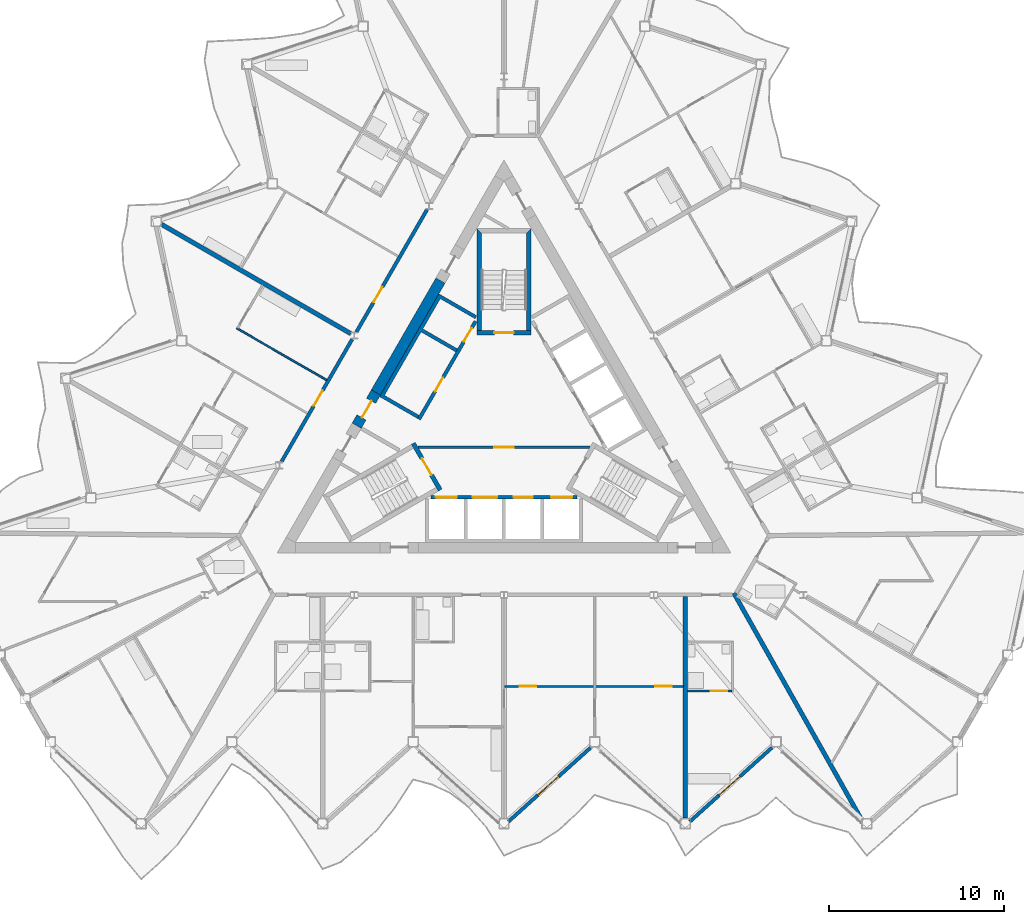
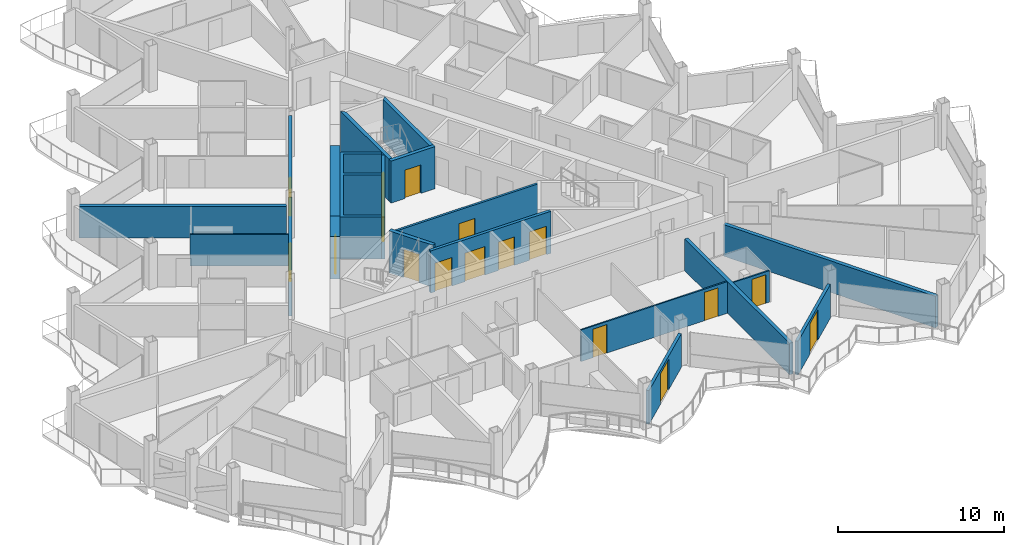
# One storey, part 15 of 27: 20 walls, 17 doors, 17 openings.
"""IFC4 building model written with IfcOpenShell, lengths in metres."""

from ifc_helpers import new_model, si_unit, direction, frame, frame_2d, origin, place, context, subcontext, project, spatial, polyline, rectangle, outline, extrude, material, layer, layer_set, type_object, element, fill, save


model = new_model("IFC4")

# Units and contexts
model_context = context("Model", 3, precision=1e-05, world=origin(), true_north=direction((0.0, 1.0)))
body_context = subcontext(model_context, "Body", "Model", "MODEL_VIEW")
ifc_project = project(units=[si_unit("LENGTHUNIT", "METRE"), si_unit("AREAUNIT", "SQUARE_METRE"), si_unit("VOLUMEUNIT", "CUBIC_METRE"), si_unit("PLANEANGLEUNIT", "RADIAN"), si_unit("MASSUNIT", "GRAM", prefix="KILO")], contexts=[model_context])

# Site, building, storey
site_placement = place(None, origin())
site = spatial("IfcSite", under=ifc_project, at=site_placement, CompositionType="ELEMENT")
building_placement = place(site_placement, origin())
building = spatial("IfcBuilding", under=site, at=building_placement, Name="Cormorant Prow Tower", CompositionType="ELEMENT")
storey_placement = place(building_placement, frame((0.0, 0.0, 332.39990234375)))
storey = spatial("IfcBuildingStorey", under=building, at=storey_placement, Name="L74", CompositionType="ELEMENT", Elevation=332.39990234375)

# Wall, opening, door
ifc_material_1 = material(Name="Gypsum board partition")
ifc_layer_1 = layer(ifc_material_1, 0.14990234375)
ifc_layer_set_1 = layer_set([ifc_layer_1], Name="Gypsum board partition")
wall_type_1 = type_object("IfcWallType", Name="Core partition 150", PredefinedType="PARTITIONING", material=ifc_layer_set_1)
wall_1_placement = place(storey_placement, frame((-4.941162109375, -1.449951171875, 0.0), z_axis=(0.0, 0.0, 1.0), x_axis=(1.0, 0.0, 0.0)))
wall_1 = element("IfcWall", 1, at=wall_1_placement, inside=storey, type_object=wall_type_1, Name="Firefighting lobby partition", PredefinedType="PARTITIONING", context=body_context, shape_type="SweptSolid", body=[
    extrude(rectangle(XDim=9.88232421875, YDim=0.14990234375, at=frame_2d((4.941162109375, 0.0))), origin(), (0.0, 0.0, 1.0), 3.10009765625),
])
opening_1_placement = place(wall_1_placement, frame((4.39111328125, 0.0, 0.0)))
opening_1 = element("IfcOpeningElement", 2, at=opening_1_placement, cuts=wall_1, Name="Opening L74-C11", PredefinedType="OPENING", context=body_context, shape_type="SweptSolid", body=[
    extrude(rectangle(XDim=1.10009765625, YDim=2.10009765625, at=frame_2d((0.550048828125, 1.050048828125))), frame((0.0, 0.0849609375, 0.0), z_axis=(0.0, -1.0, 0.0), x_axis=(1.0, 0.0, 0.0)), (0.0, 0.0, 1.0), 0.169921875),
])
ifc_material_2 = material(Name="Painted steel", Category="steel")
door_type_1 = type_object("IfcDoorType", Name="Firefighting lobby door 1100x2100", OperationType="NOTDEFINED", PredefinedType="DOOR", material=ifc_material_2)
door_1_placement = place(opening_1_placement, origin())
door_1 = element("IfcDoor", 3, at=door_1_placement, inside=storey, type_object=door_type_1, Name="Firefighting lobby door", OperationType="SINGLE_SWING_RIGHT", OverallHeight=2.10009765625, OverallWidth=1.10009765625, PredefinedType="DOOR", context=body_context, shape_type="SweptSolid", body=[
    extrude(rectangle(XDim=1.10009765625, YDim=2.10009765625, at=frame_2d((0.550048828125, 1.050048828125))), frame((0.0, 0.02490234375, 0.0), z_axis=(0.0, -1.0, 0.0), x_axis=(1.0, 0.0, 0.0)), (0.0, 0.0, 1.0), 0.050048828125),
])
fill(opening_1, door_1)

# Wall
ifc_material_3 = material(Name="Concrete 8000 psi", Category="concrete")
ifc_layer_2 = layer(ifc_material_3, 0.60009765625)
ifc_layer_set_2 = layer_set([ifc_layer_2], Name="Concrete 8000 psi")
wall_type_2 = type_object("IfcWallType", Name="Core shear wall 600", PredefinedType="SHEAR", material=ifc_layer_set_2)
wall_2_placement = place(storey_placement, frame((-3.639404296875, 8.107421875, 0.0), z_axis=(0.0, 0.0, 1.0), x_axis=(-0.49999180351, -0.866030135978, 0.0)))
element("IfcWall", 4, at=wall_2_placement, inside=storey, type_object=wall_type_2, Name="Core wall", PredefinedType="SHEAR", context=body_context, shape_type="SweptSolid", body=[
    extrude(rectangle(XDim=7.4013671875, YDim=0.60009765625, at=frame_2d((3.70068359375, 0.0))), origin(), (0.0, 0.0, 1.0), 3.10009765625),
])

# Wall, opening, door
wall_3_placement = place(storey_placement, frame((-7.340087890625, 1.697509765625, 0.0), z_axis=(0.0, 0.0, 1.0), x_axis=(-0.50002983664, -0.866008176907, 0.0)))
wall_3 = element("IfcWall", 5, at=wall_3_placement, inside=storey, type_object=wall_type_2, Name="Core wall door panel", PredefinedType="SHEAR", context=body_context, shape_type="SweptSolid", body=[
    extrude(rectangle(XDim=2.199951171875, YDim=0.60009765625, at=frame_2d((1.10009765625, 0.0))), origin(), (0.0, 0.0, 1.0), 3.10009765625),
])
opening_2_placement = place(wall_3_placement, frame((0.550048828125, 0.0, 0.0)))
opening_2 = element("IfcOpeningElement", 6, at=opening_2_placement, cuts=wall_3, Name="Opening L74-C21", PredefinedType="OPENING", context=body_context, shape_type="SweptSolid", body=[
    extrude(rectangle(XDim=1.10009765625, YDim=2.10009765625, at=frame_2d((0.550048828125, 1.050048828125))), frame((0.0, 0.31005859375, 0.0), z_axis=(0.0, -1.0, 0.0), x_axis=(1.0, 0.0, 0.0)), (0.0, 0.0, 1.0), 0.6201171875),
])
ifc_material_4 = material(Name="Painted steel", Category="steel")
door_type_2 = type_object("IfcDoorType", Name="Core door 1100x2100", OperationType="NOTDEFINED", PredefinedType="DOOR", material=ifc_material_4)
door_2_placement = place(opening_2_placement, origin())
door_2 = element("IfcDoor", 7, at=door_2_placement, inside=storey, type_object=door_type_2, Name="Core door, lift lobby", OperationType="SINGLE_SWING_RIGHT", OverallHeight=2.10009765625, OverallWidth=1.10009765625, PredefinedType="DOOR", context=body_context, shape_type="SweptSolid", body=[
    extrude(rectangle(XDim=1.10009765625, YDim=2.10009765625, at=frame_2d((0.550048828125, 1.050048828125))), frame((0.0, 0.05517578125, 0.0), z_axis=(0.0, -1.0, 0.0), x_axis=(1.0, 0.0, 0.0)), (0.0, 0.0, 1.0), 0.050048828125),
])
fill(opening_2, door_2)

ifc_material_5 = material(Name="Gypsum board corridor wall")
ifc_layer_3 = layer(ifc_material_5, 0.199951171875)
ifc_layer_set_3 = layer_set([ifc_layer_3], Name="Gypsum board corridor wall")
wall_type_3 = type_object("IfcWallType", Name="Corridor wall 200", PredefinedType="PARTITIONING", material=ifc_layer_set_3)
wall_4_placement = place(storey_placement, frame((-8.45849609375, 5.160400390625, 0.0), z_axis=(0.0, 0.0, 1.0), x_axis=(0.499984266882, 0.866034487114, 0.0)))
wall_4 = element("IfcWall", 8, at=wall_4_placement, inside=storey, type_object=wall_type_3, Name="Corridor wall", PredefinedType="PARTITIONING", context=body_context, shape_type="SweptSolid", body=[
    extrude(rectangle(XDim=8.098876953125, YDim=0.199951171875, at=frame_2d((4.04931640625, 0.0))), origin(), (0.0, 0.0, 1.0), 3.10009765625),
])
opening_3_placement = place(wall_4_placement, frame((1.975830078125, 0.0, 0.0)))
opening_3 = element("IfcOpeningElement", 9, at=opening_3_placement, cuts=wall_4, Name="Opening L74-F46", PredefinedType="OPENING", context=body_context, shape_type="SweptSolid", body=[
    extrude(rectangle(XDim=1.0, YDim=2.10009765625, at=frame_2d((0.5, 1.050048828125))), frame((0.0, 0.10986328125, 0.0), z_axis=(0.0, -1.0, 0.0), x_axis=(1.0, 0.0, 0.0)), (0.0, 0.0, 1.0), 0.219970703125),
])
ifc_material_6 = material(Name="Timber door leaf", Category="wood")
door_type_3 = type_object("IfcDoorType", Name="Flat or room entrance door 1000x2100", OperationType="NOTDEFINED", PredefinedType="DOOR", material=ifc_material_6)
door_3_placement = place(opening_3_placement, origin())
door_3 = element("IfcDoor", 10, at=door_3_placement, inside=storey, type_object=door_type_3, Name="Living room door", OperationType="SINGLE_SWING_LEFT", OverallHeight=2.10009765625, OverallWidth=1.0, PredefinedType="DOOR", context=body_context, shape_type="SweptSolid", body=[
    extrude(rectangle(XDim=1.0, YDim=2.10009765625, at=frame_2d((0.5, 1.050048828125))), frame((0.0, 0.02490234375, 0.0), z_axis=(0.0, -1.0, 0.0), x_axis=(1.0, 0.0, 0.0)), (0.0, 0.0, 1.0), 0.050048828125),
])
fill(opening_3, door_3)

wall_5_placement = place(storey_placement, frame((-12.747802734375, -2.268798828125, 0.0), z_axis=(0.0, 0.0, 1.0), x_axis=(0.499984266882, 0.866034487114, 0.0)))
wall_5 = element("IfcWall", 11, at=wall_5_placement, inside=storey, type_object=wall_type_3, Name="Corridor wall", PredefinedType="PARTITIONING", context=body_context, shape_type="SweptSolid", body=[
    extrude(rectangle(XDim=8.098876953125, YDim=0.199951171875, at=frame_2d((4.04931640625, 0.0))), origin(), (0.0, 0.0, 1.0), 3.10009765625),
])
opening_4_placement = place(wall_5_placement, frame((3.70166015625, 0.0, 0.0)))
opening_4 = element("IfcOpeningElement", 12, at=opening_4_placement, cuts=wall_5, Name="Opening L74-F51", PredefinedType="OPENING", context=body_context, shape_type="SweptSolid", body=[
    extrude(rectangle(XDim=1.0, YDim=2.10009765625, at=frame_2d((0.5, 1.050048828125))), frame((0.0, 0.10986328125, 0.0), z_axis=(0.0, -1.0, 0.0), x_axis=(1.0, 0.0, 0.0)), (0.0, 0.0, 1.0), 0.219970703125),
])
door_4_placement = place(opening_4_placement, origin())
door_4 = element("IfcDoor", 13, at=door_4_placement, inside=storey, type_object=door_type_3, Name="Living room door", OperationType="SINGLE_SWING_LEFT", OverallHeight=2.10009765625, OverallWidth=1.0, PredefinedType="DOOR", context=body_context, shape_type="SweptSolid", body=[
    extrude(rectangle(XDim=1.0, YDim=2.10009765625, at=frame_2d((0.5, 1.050048828125))), frame((0.0, 0.02490234375, 0.0), z_axis=(0.0, -1.0, 0.0), x_axis=(1.0, 0.0, 0.0)), (0.0, 0.0, 1.0), 0.050048828125),
])
fill(opening_4, door_4)

# Wall, openings, doors
ifc_material_7 = material(Name="Gypsum board partition")
ifc_layer_4 = layer(ifc_material_7, 0.10009765625)
ifc_layer_set_4 = layer_set([ifc_layer_4], Name="Gypsum board partition")
wall_type_4 = type_object("IfcWallType", Name="Internal partition 100", PredefinedType="PARTITIONING", material=ifc_layer_set_4)
wall_6_placement = place(storey_placement, frame((0.050048828125, -15.143798828125, 0.0), z_axis=(0.0, 0.0, 1.0), x_axis=(1.0, 0.0, 0.0)))
wall_6 = element("IfcWall", 14, at=wall_6_placement, inside=storey, type_object=wall_type_4, Name="Internal partition", PredefinedType="PARTITIONING", context=body_context, shape_type="SweptSolid", body=[
    extrude(rectangle(XDim=10.217529296875, YDim=0.10009765625, at=frame_2d((5.10888671875, 0.0))), origin(), (0.0, 0.0, 1.0), 2.330078125),
])
opening_5_placement = place(wall_6_placement, frame((0.854736328125, 0.0, 0.0)))
opening_5 = element("IfcOpeningElement", 15, at=opening_5_placement, cuts=wall_6, Name="Opening L74-F09", PredefinedType="OPENING", context=body_context, shape_type="SweptSolid", body=[
    extrude(rectangle(XDim=0.949951171875, YDim=2.10009765625, at=frame_2d((0.47509765625, 1.050048828125))), frame((0.0, 0.06005859375, 0.0), z_axis=(0.0, -1.0, 0.0), x_axis=(1.0, 0.0, 0.0)), (0.0, 0.0, 1.0), 0.1201171875),
])
opening_6_placement = place(wall_6_placement, frame((8.614501953125, 0.0, 0.0)))
opening_6 = element("IfcOpeningElement", 16, at=opening_6_placement, cuts=wall_6, Name="Opening L74-F11", PredefinedType="OPENING", context=body_context, shape_type="SweptSolid", body=[
    extrude(rectangle(XDim=0.949951171875, YDim=2.10009765625, at=frame_2d((0.47509765625, 1.050048828125))), frame((0.0, 0.06005859375, 0.0), z_axis=(0.0, -1.0, 0.0), x_axis=(1.0, 0.0, 0.0)), (0.0, 0.0, 1.0), 0.1201171875),
])
ifc_material_8 = material(Name="Timber door leaf", Category="wood")
door_type_4 = type_object("IfcDoorType", Name="Bathroom door 950x2100", OperationType="NOTDEFINED", PredefinedType="DOOR", material=ifc_material_8)
door_5_placement = place(opening_5_placement, origin())
door_5 = element("IfcDoor", 17, at=door_5_placement, inside=storey, type_object=door_type_4, Name="Bedroom door", OperationType="SINGLE_SWING_LEFT", OverallHeight=2.10009765625, OverallWidth=0.949951171875, PredefinedType="DOOR", context=body_context, shape_type="SweptSolid", body=[
    extrude(rectangle(XDim=0.949951171875, YDim=2.10009765625, at=frame_2d((0.47509765625, 1.050048828125))), frame((0.0, 0.02490234375, 0.0), z_axis=(0.0, -1.0, 0.0), x_axis=(1.0, 0.0, 0.0)), (0.0, 0.0, 1.0), 0.050048828125),
])
fill(opening_5, door_5)
door_6_placement = place(opening_6_placement, origin())
door_6 = element("IfcDoor", 18, at=door_6_placement, inside=storey, type_object=door_type_4, Name="Bedroom door", OperationType="SINGLE_SWING_RIGHT", OverallHeight=2.10009765625, OverallWidth=0.949951171875, PredefinedType="DOOR", context=body_context, shape_type="SweptSolid", body=[
    extrude(rectangle(XDim=0.949951171875, YDim=2.10009765625, at=frame_2d((0.47509765625, 1.050048828125))), frame((0.0, 0.02490234375, 0.0), z_axis=(0.0, -1.0, 0.0), x_axis=(1.0, 0.0, 0.0)), (0.0, 0.0, 1.0), 0.050048828125),
])
fill(opening_6, door_6)

# Wall
wall_7_placement = place(storey_placement, frame((-15.31787109375, 5.379638671875, 0.0), z_axis=(0.0, 0.0, 1.0), x_axis=(0.866035260786, -0.499982926783, 0.0)))
element("IfcWall", 19, at=wall_7_placement, inside=storey, type_object=wall_type_4, Name="Internal partition", PredefinedType="PARTITIONING", context=body_context, shape_type="SweptSolid", body=[
    extrude(rectangle(XDim=5.949951171875, YDim=0.10009765625, at=frame_2d((2.97509765625, 0.0))), origin(), (0.0, 0.0, 1.0), 2.330078125),
])

# Wall, opening, door
wall_8_placement = place(storey_placement, frame((10.517578125, -15.405517578125, 0.0), z_axis=(0.0, 0.0, 1.0), x_axis=(1.0, 0.0, 0.0)))
wall_8 = element("IfcWall", 20, at=wall_8_placement, inside=storey, type_object=wall_type_4, Name="Internal partition", PredefinedType="PARTITIONING", context=body_context, shape_type="SweptSolid", body=[
    extrude(rectangle(XDim=2.52490234375, YDim=0.10009765625, at=frame_2d((1.262451171875, 0.0))), origin(), (0.0, 0.0, 1.0), 2.330078125),
])
opening_7_placement = place(wall_8_placement, frame((1.324951171875, 0.0, 0.0)))
opening_7 = element("IfcOpeningElement", 21, at=opening_7_placement, cuts=wall_8, Name="Opening L74-F14", PredefinedType="OPENING", context=body_context, shape_type="SweptSolid", body=[
    extrude(rectangle(XDim=0.949951171875, YDim=2.10009765625, at=frame_2d((0.47509765625, 1.050048828125))), frame((0.0, 0.06005859375, 0.0), z_axis=(0.0, -1.0, 0.0), x_axis=(1.0, 0.0, 0.0)), (0.0, 0.0, 1.0), 0.1201171875),
])
door_7_placement = place(opening_7_placement, origin())
door_7 = element("IfcDoor", 22, at=door_7_placement, inside=storey, type_object=door_type_4, Name="Studio living, kitchen and sleeping room door", OperationType="SINGLE_SWING_RIGHT", OverallHeight=2.10009765625, OverallWidth=0.949951171875, PredefinedType="DOOR", context=body_context, shape_type="SweptSolid", body=[
    extrude(rectangle(XDim=0.949951171875, YDim=2.10009765625, at=frame_2d((0.47509765625, 1.050048828125))), frame((0.0, 0.02490234375, 0.0), z_axis=(0.0, -1.0, 0.0), x_axis=(1.0, 0.0, 0.0)), (0.0, 0.0, 1.0), 0.050048828125),
])
fill(opening_7, door_7)

# Wall, openings, doors
ifc_material_9 = material(Name="Concrete 5000 psi", Category="concrete")
ifc_layer_5 = layer(ifc_material_9, 0.199951171875)
ifc_layer_set_5 = layer_set([ifc_layer_5], Name="Concrete 5000 psi")
wall_type_5 = type_object("IfcWallType", Name="Lift lobby wall 200", PredefinedType="SOLIDWALL", material=ifc_layer_set_5)
wall_9_placement = place(storey_placement, frame((-4.1865234375, -4.300048828125, 0.0), z_axis=(0.0, 0.0, 1.0), x_axis=(1.0, 0.0, 0.0)))
wall_9 = element("IfcWall", 23, at=wall_9_placement, inside=storey, type_object=wall_type_5, Name="Lift lobby wall, S block", PredefinedType="SOLIDWALL", context=body_context, shape_type="SweptSolid", body=[
    extrude(rectangle(XDim=8.373046875, YDim=0.199951171875, at=frame_2d((4.1865234375, 0.0))), origin(), (0.0, 0.0, 1.0), 3.10009765625),
])
opening_8_placement = place(wall_9_placement, frame((0.28662109375, 0.0, 0.0)))
opening_8 = element("IfcOpeningElement", 24, at=opening_8_placement, cuts=wall_9, Name="Opening L74-C01", PredefinedType="OPENING", context=body_context, shape_type="SweptSolid", body=[
    extrude(rectangle(XDim=1.199951171875, YDim=2.10009765625, at=frame_2d((0.60009765625, 1.050048828125))), frame((0.0, 0.10986328125, 0.0), z_axis=(0.0, -1.0, 0.0), x_axis=(1.0, 0.0, 0.0)), (0.0, 0.0, 1.0), 0.219970703125),
])
opening_9_placement = place(wall_9_placement, frame((2.38671875, 0.0, 0.0)))
opening_9 = element("IfcOpeningElement", 25, at=opening_9_placement, cuts=wall_9, Name="Opening L74-C02", PredefinedType="OPENING", context=body_context, shape_type="SweptSolid", body=[
    extrude(rectangle(XDim=1.39990234375, YDim=2.10009765625, at=frame_2d((0.699951171875, 1.050048828125))), frame((0.0, 0.10986328125, 0.0), z_axis=(0.0, -1.0, 0.0), x_axis=(1.0, 0.0, 0.0)), (0.0, 0.0, 1.0), 0.219970703125),
])
opening_10_placement = place(wall_9_placement, frame((4.736572265625, 0.0, 0.0)))
opening_10 = element("IfcOpeningElement", 26, at=opening_10_placement, cuts=wall_9, Name="Opening L74-C03", PredefinedType="OPENING", context=body_context, shape_type="SweptSolid", body=[
    extrude(rectangle(XDim=1.10009765625, YDim=2.10009765625, at=frame_2d((0.550048828125, 1.050048828125))), frame((0.0, 0.10986328125, 0.0), z_axis=(0.0, -1.0, 0.0), x_axis=(1.0, 0.0, 0.0)), (0.0, 0.0, 1.0), 0.219970703125),
])
opening_11_placement = place(wall_9_placement, frame((6.88671875, 0.0, 0.0)))
opening_11 = element("IfcOpeningElement", 27, at=opening_11_placement, cuts=wall_9, Name="Opening L74-C04", PredefinedType="OPENING", context=body_context, shape_type="SweptSolid", body=[
    extrude(rectangle(XDim=1.199951171875, YDim=2.10009765625, at=frame_2d((0.60009765625, 1.050048828125))), frame((0.0, 0.10986328125, 0.0), z_axis=(0.0, -1.0, 0.0), x_axis=(1.0, 0.0, 0.0)), (0.0, 0.0, 1.0), 0.219970703125),
])
ifc_material_10 = material(Name="Painted steel", Category="steel")
door_type_5 = type_object("IfcDoorType", Name="Firefighting lift landing door 1200x2100", OperationType="SLIDING_TO_LEFT", PredefinedType="DOOR", material=ifc_material_10)
door_8_placement = place(opening_8_placement, origin())
door_8 = element("IfcDoor", 28, at=door_8_placement, inside=storey, type_object=door_type_5, Name="Landing door FL1", OperationType="SLIDING_TO_LEFT", OverallHeight=2.10009765625, OverallWidth=1.199951171875, PredefinedType="DOOR", context=body_context, shape_type="SweptSolid", body=[
    extrude(rectangle(XDim=1.199951171875, YDim=2.10009765625, at=frame_2d((0.60009765625, 1.050048828125))), frame((0.0, 0.02490234375, 0.0), z_axis=(0.0, -1.0, 0.0), x_axis=(1.0, 0.0, 0.0)), (0.0, 0.0, 1.0), 0.050048828125),
])
fill(opening_8, door_8)
door_9_placement = place(opening_11_placement, origin())
door_9 = element("IfcDoor", 29, at=door_9_placement, inside=storey, type_object=door_type_5, Name="Landing door FL2", OperationType="SLIDING_TO_LEFT", OverallHeight=2.10009765625, OverallWidth=1.199951171875, PredefinedType="DOOR", context=body_context, shape_type="SweptSolid", body=[
    extrude(rectangle(XDim=1.199951171875, YDim=2.10009765625, at=frame_2d((0.60009765625, 1.050048828125))), frame((0.0, 0.02490234375, 0.0), z_axis=(0.0, -1.0, 0.0), x_axis=(1.0, 0.0, 0.0)), (0.0, 0.0, 1.0), 0.050048828125),
])
fill(opening_11, door_9)
ifc_material_11 = material(Name="Painted steel", Category="steel")
door_type_6 = type_object("IfcDoorType", Name="Lift landing door 1100x2100", OperationType="SLIDING_TO_LEFT", PredefinedType="DOOR", material=ifc_material_11)
door_10_placement = place(opening_10_placement, origin())
door_10 = element("IfcDoor", 30, at=door_10_placement, inside=storey, type_object=door_type_6, Name="Landing door HR1", OperationType="SLIDING_TO_LEFT", OverallHeight=2.10009765625, OverallWidth=1.10009765625, PredefinedType="DOOR", context=body_context, shape_type="SweptSolid", body=[
    extrude(rectangle(XDim=1.10009765625, YDim=2.10009765625, at=frame_2d((0.550048828125, 1.050048828125))), frame((0.0, 0.02490234375, 0.0), z_axis=(0.0, -1.0, 0.0), x_axis=(1.0, 0.0, 0.0)), (0.0, 0.0, 1.0), 0.050048828125),
])
fill(opening_10, door_10)
ifc_material_12 = material(Name="Painted steel", Category="steel")
door_type_7 = type_object("IfcDoorType", Name="Service lift landing door 1400x2100", OperationType="SLIDING_TO_LEFT", PredefinedType="DOOR", material=ifc_material_12)
door_11_placement = place(opening_9_placement, origin())
door_11 = element("IfcDoor", 31, at=door_11_placement, inside=storey, type_object=door_type_7, Name="Landing door SL1", OperationType="SLIDING_TO_LEFT", OverallHeight=2.10009765625, OverallWidth=1.39990234375, PredefinedType="DOOR", context=body_context, shape_type="SweptSolid", body=[
    extrude(rectangle(XDim=1.39990234375, YDim=2.10009765625, at=frame_2d((0.699951171875, 1.050048828125))), frame((0.0, 0.02490234375, 0.0), z_axis=(0.0, -1.0, 0.0), x_axis=(1.0, 0.0, 0.0)), (0.0, 0.0, 1.0), 0.050048828125),
])
fill(opening_9, door_11)

wall_10_placement = place(storey_placement, frame((-1.630615234375, 5.775634765625, 0.0), z_axis=(0.0, 0.0, 1.0), x_axis=(-0.499992876559, -0.866029516466, 0.0)))
wall_10 = element("IfcWall", 32, at=wall_10_placement, inside=storey, type_object=wall_type_5, Name="Lift lobby wall, WNW block", PredefinedType="SOLIDWALL", context=body_context, shape_type="SweptSolid", body=[
    extrude(rectangle(XDim=6.486328125, YDim=0.199951171875, at=frame_2d((3.2431640625, 0.0))), origin(), (0.0, 0.0, 1.0), 3.10009765625),
])
opening_12_placement = place(wall_10_placement, frame((0.4365234375, 0.0, 0.0)))
opening_12 = element("IfcOpeningElement", 33, at=opening_12_placement, cuts=wall_10, Name="Opening L74-C09", PredefinedType="OPENING", context=body_context, shape_type="SweptSolid", body=[
    extrude(rectangle(XDim=0.89990234375, YDim=2.10009765625, at=frame_2d((0.449951171875, 1.050048828125))), frame((0.0, 0.10986328125, 0.0), z_axis=(0.0, -1.0, 0.0), x_axis=(1.0, 0.0, 0.0)), (0.0, 0.0, 1.0), 0.219970703125),
])
opening_13_placement = place(wall_10_placement, frame((3.736572265625, 0.0, 0.0)))
opening_13 = element("IfcOpeningElement", 34, at=opening_13_placement, cuts=wall_10, Name="Opening L74-C10", PredefinedType="OPENING", context=body_context, shape_type="SweptSolid", body=[
    extrude(rectangle(XDim=0.89990234375, YDim=2.10009765625, at=frame_2d((0.449951171875, 1.050048828125))), frame((0.0, 0.10986328125, 0.0), z_axis=(0.0, -1.0, 0.0), x_axis=(1.0, 0.0, 0.0)), (0.0, 0.0, 1.0), 0.219970703125),
])
ifc_material_13 = material(Name="Painted steel", Category="steel")
door_type_8 = type_object("IfcDoorType", Name="Service door 900x2100", OperationType="NOTDEFINED", PredefinedType="DOOR", material=ifc_material_13)
door_12_placement = place(opening_12_placement, origin())
door_12 = element("IfcDoor", 35, at=door_12_placement, inside=storey, type_object=door_type_8, Name="Service door, Telecom room", OperationType="SINGLE_SWING_LEFT", OverallHeight=2.10009765625, OverallWidth=0.89990234375, PredefinedType="DOOR", context=body_context, shape_type="SweptSolid", body=[
    extrude(rectangle(XDim=0.89990234375, YDim=2.10009765625, at=frame_2d((0.449951171875, 1.050048828125))), frame((0.0, 0.02490234375, 0.0), z_axis=(0.0, -1.0, 0.0), x_axis=(1.0, 0.0, 0.0)), (0.0, 0.0, 1.0), 0.050048828125),
])
fill(opening_12, door_12)
door_13_placement = place(opening_13_placement, origin())
door_13 = element("IfcDoor", 36, at=door_13_placement, inside=storey, type_object=door_type_8, Name="Service door, Housekeeping store", OperationType="SINGLE_SWING_RIGHT", OverallHeight=2.10009765625, OverallWidth=0.89990234375, PredefinedType="DOOR", context=body_context, shape_type="SweptSolid", body=[
    extrude(rectangle(XDim=0.89990234375, YDim=2.10009765625, at=frame_2d((0.449951171875, 1.050048828125))), frame((0.0, 0.02490234375, 0.0), z_axis=(0.0, -1.0, 0.0), x_axis=(1.0, 0.0, 0.0)), (0.0, 0.0, 1.0), 0.050048828125),
])
fill(opening_13, door_13)

# Wall
ifc_material_14 = material(Name="Concrete 8000 psi", Category="concrete")
ifc_layer_6 = layer(ifc_material_14, 0.199951171875)
ifc_layer_set_6 = layer_set([ifc_layer_6], Name="Concrete 8000 psi")
wall_type_6 = type_object("IfcWallType", Name="Lift shaft wall 200", PredefinedType="SHEAR", material=ifc_layer_set_6)
wall_11_placement = place(storey_placement, origin())
element("IfcWall", 37, at=wall_11_placement, inside=storey, type_object=wall_type_6, Name="Lift shaft walls, WNW block", PredefinedType="SHEAR", context=body_context, shape_type="SweptSolid", body=[
    extrude(outline(polyline([(-4.96044921875, 0.2080078125), (-7.130859375, 1.461181640625), (-3.730712890625, 7.35009765625), (-1.560546875, 6.09716796875), (-1.660400390625, 5.923828125), (-3.65234375, 7.073974609375), (-4.65234375, 5.341796875), (-2.660400390625, 4.19189453125), (-2.760498046875, 4.018798828125), (-4.75244140625, 5.168701171875), (-6.852294921875, 1.53125), (-4.860595703125, 0.38134765625), (-4.96044921875, 0.2080078125)])), origin(), (0.0, 0.0, 1.0), 3.10009765625),
])

# Wall, opening, door
ifc_material_15 = material(Name="Concrete 8000 psi", Category="concrete")
ifc_layer_7 = layer(ifc_material_15, 0.25)
ifc_layer_set_7 = layer_set([ifc_layer_7], Name="Concrete 8000 psi")
wall_type_7 = type_object("IfcWallType", Name="Stair wall 250", PredefinedType="SHEAR", material=ifc_layer_set_7)
wall_12_placement = place(storey_placement, frame((-5.198974609375, -1.21875, 0.0), z_axis=(0.0, 0.0, 1.0), x_axis=(0.499982516597, -0.866035497597, 0.0)))
wall_12 = element("IfcWall", 38, at=wall_12_placement, inside=storey, type_object=wall_type_7, Name="Stair ST1 door wall", PredefinedType="SHEAR", context=body_context, shape_type="SweptSolid", body=[
    extrude(rectangle(XDim=3.087890625, YDim=0.25, at=frame_2d((1.5439453125, 0.0))), origin(), (0.0, 0.0, 1.0), 3.10009765625),
])
opening_14_placement = place(wall_12_placement, frame((0.993896484375, 0.0, 0.0)))
opening_14 = element("IfcOpeningElement", 39, at=opening_14_placement, cuts=wall_12, Name="Opening L74-C12", PredefinedType="OPENING", context=body_context, shape_type="SweptSolid", body=[
    extrude(rectangle(XDim=1.10009765625, YDim=2.10009765625, at=frame_2d((0.550048828125, 1.050048828125))), frame((0.0, 0.135009765625, 0.0), z_axis=(0.0, -1.0, 0.0), x_axis=(1.0, 0.0, 0.0)), (0.0, 0.0, 1.0), 0.27001953125),
])
ifc_material_16 = material(Name="Painted steel", Category="steel")
door_type_9 = type_object("IfcDoorType", Name="Stair door 1100x2100", OperationType="NOTDEFINED", PredefinedType="DOOR", material=ifc_material_16)
door_14_placement = place(opening_14_placement, origin())
door_14 = element("IfcDoor", 40, at=door_14_placement, inside=storey, type_object=door_type_9, Name="Stair ST1 door", OperationType="SINGLE_SWING_LEFT", OverallHeight=2.10009765625, OverallWidth=1.10009765625, PredefinedType="DOOR", context=body_context, shape_type="SweptSolid", body=[
    extrude(rectangle(XDim=1.10009765625, YDim=2.10009765625, at=frame_2d((0.550048828125, 1.050048828125))), frame((0.0, 0.02490234375, 0.0), z_axis=(0.0, -1.0, 0.0), x_axis=(1.0, 0.0, 0.0)), (0.0, 0.0, 1.0), 0.050048828125),
])
fill(opening_14, door_14)

# Walls
wall_13_placement = place(storey_placement, origin())
element("IfcWall", 41, at=wall_13_placement, inside=storey, type_object=wall_type_7, Name="Stair ST3 enclosure wall (flank)", PredefinedType="SHEAR", context=body_context, shape_type="SweptSolid", body=[
    extrude(outline(polyline([(1.5439453125, 5.23681640625), (1.5439453125, 11.0869140625), (1.2939453125, 10.8369140625), (1.2939453125, 5.23681640625), (1.5439453125, 5.23681640625)])), origin(), (0.0, 0.0, 1.0), 3.10009765625),
])
wall_14_placement = place(storey_placement, origin())
element("IfcWall", 42, at=wall_14_placement, inside=storey, type_object=wall_type_7, Name="Stair ST3 enclosure wall (flank)", PredefinedType="SHEAR", context=body_context, shape_type="SweptSolid", body=[
    extrude(outline(polyline([(-1.2939453125, 10.8369140625), (-1.5439453125, 11.0869140625), (-1.5439453125, 5.23681640625), (-1.2939453125, 5.23681640625), (-1.2939453125, 10.8369140625)])), origin(), (0.0, 0.0, 1.0), 3.10009765625),
])

# Wall, opening, door
wall_15_placement = place(storey_placement, frame((1.5439453125, 5.11181640625, 0.0), z_axis=(0.0, 0.0, 1.0), x_axis=(-1.0, 0.0, 0.0)))
wall_15 = element("IfcWall", 43, at=wall_15_placement, inside=storey, type_object=wall_type_7, Name="Stair ST3 door wall", PredefinedType="SHEAR", context=body_context, shape_type="SweptSolid", body=[
    extrude(rectangle(XDim=3.087890625, YDim=0.25, at=frame_2d((1.5439453125, 0.0))), origin(), (0.0, 0.0, 1.0), 3.10009765625),
])
opening_15_placement = place(wall_15_placement, frame((0.993896484375, 0.0, 0.0)))
opening_15 = element("IfcOpeningElement", 44, at=opening_15_placement, cuts=wall_15, Name="Opening L74-C14", PredefinedType="OPENING", context=body_context, shape_type="SweptSolid", body=[
    extrude(rectangle(XDim=1.10009765625, YDim=2.10009765625, at=frame_2d((0.550048828125, 1.050048828125))), frame((0.0, 0.135009765625, 0.0), z_axis=(0.0, -1.0, 0.0), x_axis=(1.0, 0.0, 0.0)), (0.0, 0.0, 1.0), 0.27001953125),
])
door_15_placement = place(opening_15_placement, origin())
door_15 = element("IfcDoor", 45, at=door_15_placement, inside=storey, type_object=door_type_9, Name="Stair ST3 door", OperationType="SINGLE_SWING_LEFT", OverallHeight=2.10009765625, OverallWidth=1.10009765625, PredefinedType="DOOR", context=body_context, shape_type="SweptSolid", body=[
    extrude(rectangle(XDim=1.10009765625, YDim=2.10009765625, at=frame_2d((0.550048828125, 1.050048828125))), frame((0.0, 0.02490234375, 0.0), z_axis=(0.0, -1.0, 0.0), x_axis=(1.0, 0.0, 0.0)), (0.0, 0.0, 1.0), 0.050048828125),
])
fill(opening_15, door_15)

# Walls
ifc_material_17 = material(Name="Acoustic gypsum party wall")
ifc_layer_8 = layer(ifc_material_17, 0.25)
ifc_layer_set_8 = layer_set([ifc_layer_8], Name="Acoustic gypsum party wall")
wall_type_8 = type_object("IfcWallType", Name="Suite party wall 250", PredefinedType="PARTITIONING", material=ifc_layer_set_8)
wall_16_placement = place(storey_placement, frame((13.16943359375, -9.796630859375, 0.0), z_axis=(0.0, 0.0, 1.0), x_axis=(0.4910591841, -0.871126212274, 0.0)))
element("IfcWall", 46, at=wall_16_placement, inside=storey, type_object=wall_type_8, Name="Suite party wall", PredefinedType="PARTITIONING", context=body_context, shape_type="SweptSolid", body=[
    extrude(rectangle(XDim=14.900146484375, YDim=0.25, at=frame_2d((7.4501953125, 0.0))), origin(), (0.0, 0.0, 1.0), 2.330078125),
])
wall_17_placement = place(storey_placement, frame((10.392578125, -22.697998046875, 0.0), z_axis=(0.0, 0.0, 1.0), x_axis=(0.0, 1.0, 0.0)))
element("IfcWall", 47, at=wall_17_placement, inside=storey, type_object=wall_type_8, Name="Suite party wall", PredefinedType="PARTITIONING", context=body_context, shape_type="SweptSolid", body=[
    extrude(rectangle(XDim=12.6923828125, YDim=0.25, at=frame_2d((6.34619140625, 0.0))), origin(), (0.0, 0.0, 1.0), 2.330078125),
])
wall_18_placement = place(storey_placement, frame((-19.615478515625, 11.3251953125, 0.0), z_axis=(0.0, 0.0, 1.0), x_axis=(0.86602139559, -0.500006942333, 0.0)))
element("IfcWall", 48, at=wall_18_placement, inside=storey, type_object=wall_type_8, Name="Suite party wall", PredefinedType="PARTITIONING", context=body_context, shape_type="SweptSolid", body=[
    extrude(rectangle(XDim=12.504638671875, YDim=0.25, at=frame_2d((6.25244140625, 0.0))), origin(), (0.0, 0.0, 1.0), 2.330078125),
])

# Wall, opening, door
ifc_material_18 = material(Name="Terracotta", Category="masonry")
ifc_layer_9 = layer(ifc_material_18, 0.199951171875)
ifc_layer_set_9 = layer_set([ifc_layer_9], Name="Terracotta")
wall_type_9 = type_object("IfcWallType", Name="Terracotta jamb wall 200", PredefinedType="SOLIDWALL", material=ifc_layer_set_9)
wall_19_placement = place(storey_placement, frame((0.255615234375, -22.891845703125, 0.0), z_axis=(0.0, 0.0, 1.0), x_axis=(0.743142393944, 0.66913330684, 0.0)))
wall_19 = element("IfcWall", 49, at=wall_19_placement, inside=storey, type_object=wall_type_9, Name="Terracotta jamb wall S05", PredefinedType="SOLIDWALL", context=body_context, shape_type="SweptSolid", body=[
    extrude(rectangle(XDim=6.320556640625, YDim=0.199951171875, at=frame_2d((3.16015625, 0.0))), origin(), (0.0, 0.0, 1.0), 2.488037109375),
])
opening_16_placement = place(wall_19_placement, frame((2.26220703125, 0.0, 0.0)))
opening_16 = element("IfcOpeningElement", 50, at=opening_16_placement, cuts=wall_19, Name="Opening ED74.03", PredefinedType="OPENING", context=body_context, shape_type="SweptSolid", body=[
    extrude(rectangle(XDim=1.60009765625, YDim=2.25, at=frame_2d((0.800048828125, 1.125))), frame((0.0, 0.10986328125, 0.0), z_axis=(0.0, -1.0, 0.0), x_axis=(1.0, 0.0, 0.0)), (0.0, 0.0, 1.0), 0.219970703125),
])
ifc_material_19 = material(Name="Aluminium 6063-T6", Category="aluminium")
door_type_10 = type_object("IfcDoorType", Name="Balcony door 1600x2250", OperationType="DOUBLE_DOOR_SINGLE_SWING", PredefinedType="DOOR", material=ifc_material_19)
door_16_placement = place(opening_16_placement, origin())
door_16 = element("IfcDoor", 51, at=door_16_placement, inside=storey, type_object=door_type_10, Name="Balcony door S05 ED74.03", OperationType="DOUBLE_DOOR_SINGLE_SWING", OverallHeight=2.25, OverallWidth=1.60009765625, PredefinedType="DOOR", context=body_context, shape_type="SweptSolid", body=[
    extrude(rectangle(XDim=1.60009765625, YDim=2.25, at=frame_2d((0.800048828125, 1.125))), frame((0.0, 0.02490234375, 0.0), z_axis=(0.0, -1.0, 0.0), x_axis=(1.0, 0.0, 0.0)), (0.0, 0.0, 1.0), 0.050048828125),
])
fill(opening_16, door_16)

wall_20_placement = place(storey_placement, frame((10.648193359375, -22.891845703125, 0.0), z_axis=(0.0, 0.0, 1.0), x_axis=(0.743136819733, 0.669139497532, 0.0)))
wall_20 = element("IfcWall", 52, at=wall_20_placement, inside=storey, type_object=wall_type_9, Name="Terracotta jamb wall S07", PredefinedType="SOLIDWALL", context=body_context, shape_type="SweptSolid", body=[
    extrude(rectangle(XDim=6.328125, YDim=0.199951171875, at=frame_2d((3.1640625, 0.0))), origin(), (0.0, 0.0, 1.0), 2.488037109375),
])
opening_17_placement = place(wall_20_placement, frame((2.26220703125, 0.0, 0.0)))
opening_17 = element("IfcOpeningElement", 53, at=opening_17_placement, cuts=wall_20, Name="Opening ED74.04", PredefinedType="OPENING", context=body_context, shape_type="SweptSolid", body=[
    extrude(rectangle(XDim=1.60009765625, YDim=2.25, at=frame_2d((0.800048828125, 1.125))), frame((0.0, 0.10986328125, 0.0), z_axis=(0.0, -1.0, 0.0), x_axis=(1.0, 0.0, 0.0)), (0.0, 0.0, 1.0), 0.219970703125),
])
door_17_placement = place(opening_17_placement, origin())
door_17 = element("IfcDoor", 54, at=door_17_placement, inside=storey, type_object=door_type_10, Name="Balcony door S07 ED74.04", OperationType="DOUBLE_DOOR_SINGLE_SWING", OverallHeight=2.25, OverallWidth=1.60009765625, PredefinedType="DOOR", context=body_context, shape_type="SweptSolid", body=[
    extrude(rectangle(XDim=1.60009765625, YDim=2.25, at=frame_2d((0.800048828125, 1.125))), frame((0.0, 0.02490234375, 0.0), z_axis=(0.0, -1.0, 0.0), x_axis=(1.0, 0.0, 0.0)), (0.0, 0.0, 1.0), 0.050048828125),
])
fill(opening_17, door_17)

save(model, "model.ifc")
